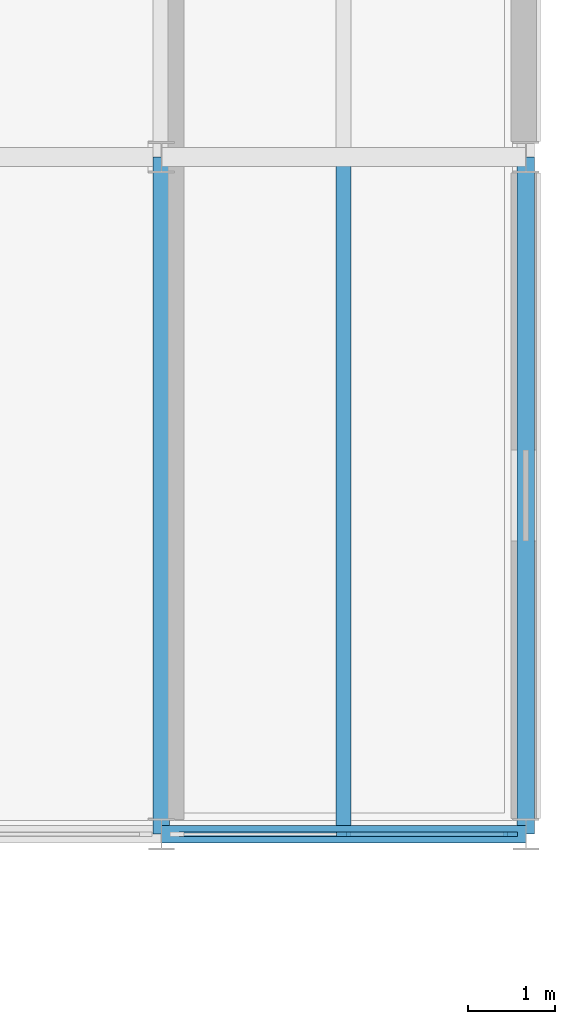
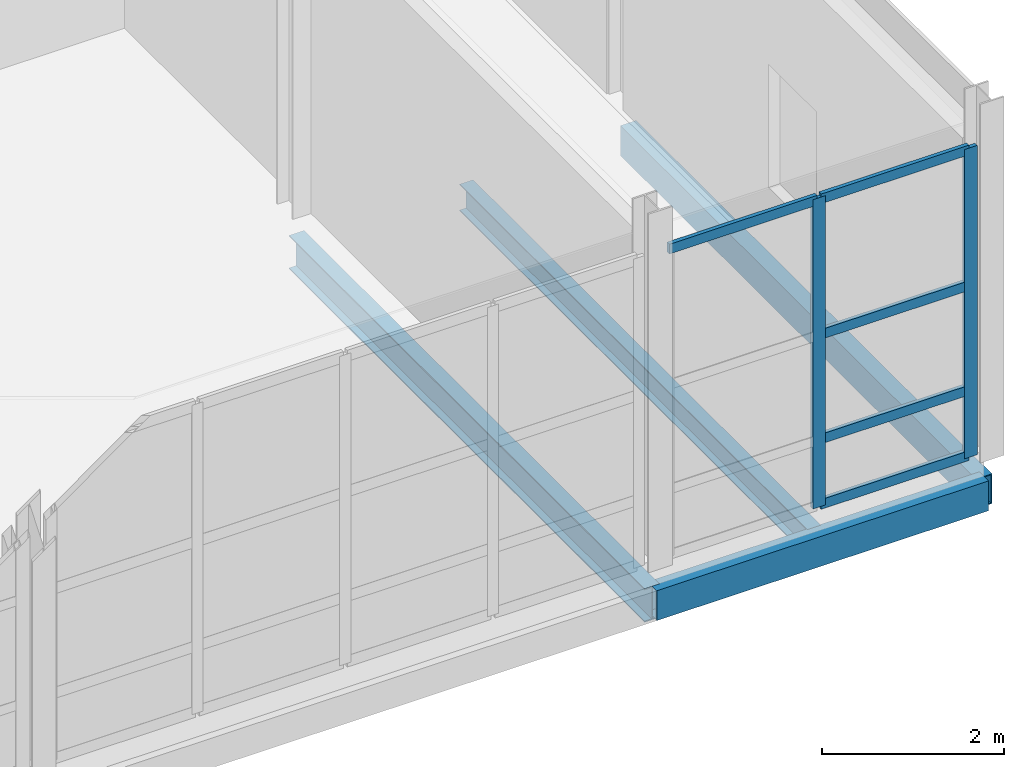
# One storey, part 61 of 131: 7 members, 4 beams, 1 element without a shape of its own.
"""IFC4 building model written with IfcOpenShell, lengths in metres."""

import ifcopenshell
import ifcopenshell.guid

model = None  # the IFC model being written
_history = None  # IfcOwnerHistory: only IFC2X3 demands one
_inside = {}  # id of a spatial element -> (the spatial element, [elements in it])
_under = {}  # id of a project, library or spatial element -> (it, [spatial elements below it])
_declared = {}  # id of a project -> (the project, [libraries it declares])
_typed = {}  # id of a type object -> (the type object, [elements of that type])
_made_of = {}  # id of a material, layer set ... -> (it, [elements and type objects made of it])


def new_model(schema):
    """Start an empty IFC model of exactly this schema.

    Asked for "IFC4X3", IfcOpenShell would pick the latest addendum, in which some entities
    have other attributes; the version numbers below select the first issue.
    IFC2X3 requires an IfcOwnerHistory on every rooted entity: one is made here for all.
    """
    global model, _history
    if schema == "IFC4X3":
        model = ifcopenshell.file(schema_version=(4, 3, 0, 0))
    else:
        model = ifcopenshell.file(schema=schema)
    _inside.clear()
    _under.clear()
    _declared.clear()
    _typed.clear()
    _made_of.clear()
    _history = None
    if model.schema == "IFC2X3":
        org = make("IfcOrganization", Name="unknown")
        user = make(
            "IfcPersonAndOrganization",
            ThePerson=make("IfcPerson", FamilyName="unknown"),
            TheOrganization=org,
        )
        app = make(
            "IfcApplication",
            ApplicationDeveloper=org,
            Version="unknown",
            ApplicationFullName="unknown",
            ApplicationIdentifier="unknown",
        )
        _history = make(
            "IfcOwnerHistory",
            OwningUser=user,
            OwningApplication=app,
            ChangeAction="ADDED",
            CreationDate=0,
        )
    return model


def make(cls, **values):
    """One entity of the class cls with the attributes given. An attribute that is None is left unset."""
    return model.create_entity(
        cls, **{name: value for name, value in values.items() if value is not None}
    )


def rooted(cls, **values):
    """An entity with a GlobalId (a new one), such as an element, a storey or a relation."""
    return make(cls, GlobalId=ifcopenshell.guid.new(), OwnerHistory=_history, **values)


def si_unit(unit_type, name, prefix=None):
    """IfcSIUnit, for example si_unit("LENGTHUNIT", "METRE", prefix="MILLI")."""
    return make("IfcSIUnit", UnitType=unit_type, Prefix=prefix, Name=name)


def assignment(units):
    """IfcUnitAssignment: the units of a project."""
    return None if units is None else make("IfcUnitAssignment", Units=units)


def point(xyz):
    """IfcCartesianPoint."""
    return None if xyz is None else make("IfcCartesianPoint", Coordinates=xyz)


def direction(xyz):
    """IfcDirection."""
    return None if xyz is None else make("IfcDirection", DirectionRatios=xyz)


def frame(location, z_axis=None, x_axis=None):
    """IfcAxis2Placement3D, a coordinate frame: its origin and axes. An axis left out is left unset."""
    return make(
        "IfcAxis2Placement3D",
        Location=point(location),
        Axis=direction(z_axis),
        RefDirection=direction(x_axis),
    )


def frame_2d(location, x_axis=None):
    """IfcAxis2Placement2D, a coordinate frame in the plane: its origin and x axis."""
    return make(
        "IfcAxis2Placement2D", Location=point(location), RefDirection=direction(x_axis)
    )


def origin():
    """The frame at (0, 0, 0) with its axes left unset."""
    return frame((0.0, 0.0, 0.0))


def origin_2d():
    """The frame at (0, 0) in the plane with its x axis left unset."""
    return frame_2d((0.0, 0.0))


def place(relative_to, where):
    """IfcLocalPlacement: puts the frame where relative to a parent placement (None: the world)."""
    return make(
        "IfcLocalPlacement", PlacementRelTo=relative_to, RelativePlacement=where
    )


def context(
    kind, dimensions, precision=None, world=None, true_north=None, identifier=None
):
    """IfcGeometricRepresentationContext, for example the 3D "Model" context."""
    return make(
        "IfcGeometricRepresentationContext",
        ContextIdentifier=identifier,
        ContextType=kind,
        CoordinateSpaceDimension=dimensions,
        Precision=precision,
        WorldCoordinateSystem=world,
        TrueNorth=true_north,
    )


def subcontext(parent, identifier, kind, view, scale=None):
    """IfcGeometricRepresentationSubContext, for example "Body" below "Model"."""
    return make(
        "IfcGeometricRepresentationSubContext",
        ContextIdentifier=identifier,
        ContextType=kind,
        ParentContext=parent,
        TargetScale=scale,
        TargetView=view,
    )


def project(units=None, contexts=None):
    """IfcProject with its units and contexts."""
    return rooted(
        "IfcProject",
        Name="project",
        RepresentationContexts=contexts,
        UnitsInContext=assignment(units),
    )


def spatial(cls, under=None, at=None, **own):
    """A site, building, storey or space (cls), placed at a placement, below another one or the project."""
    s = rooted(cls, ObjectPlacement=at, **own)
    if under is not None:
        _under.setdefault(under.id(), (under, []))[1].append(s)
    return s


def profile(cls, at=None, kind="AREA", **sizes):
    """A parametric profile (cls). Its sizes go by their IFC names, for example OverallWidth=200.0."""
    return make(cls, ProfileType=kind, Position=at, **sizes)


def rectangle(**sizes):
    """IfcRectangleProfileDef."""
    return profile("IfcRectangleProfileDef", **sizes)


def hollow_rectangle(**sizes):
    """IfcRectangleHollowProfileDef."""
    return profile("IfcRectangleHollowProfileDef", **sizes)


def i_section(**sizes):
    """IfcIShapeProfileDef."""
    return profile("IfcIShapeProfileDef", **sizes)


def extrude(swept, where, along, depth):
    """IfcExtrudedAreaSolid: the profile swept, set in the frame where, extruded along a direction by depth."""
    return make(
        "IfcExtrudedAreaSolid",
        SweptArea=swept,
        Position=where,
        ExtrudedDirection=direction(along),
        Depth=depth,
    )


def shape(context_of_items, identifier, shape_type, items):
    """IfcShapeRepresentation: the items that make up one representation, for example the "Body"."""
    return make(
        "IfcShapeRepresentation",
        ContextOfItems=context_of_items,
        RepresentationIdentifier=identifier,
        RepresentationType=shape_type,
        Items=items,
    )


def material(Name=None, Category=None):
    """IfcMaterial."""
    return make("IfcMaterial", Name=Name, Category=Category)


def layer(
    of_material, thickness, ventilated=None, Name=None, Category=None, Priority=None
):
    """IfcMaterialLayer: one layer of a wall or slab, of a material (None: an air gap)."""
    return make(
        "IfcMaterialLayer",
        Material=of_material,
        LayerThickness=thickness,
        IsVentilated=ventilated,
        Name=Name,
        Category=Category,
        Priority=Priority,
    )


def layer_set(layers, Name=None):
    """IfcMaterialLayerSet."""
    return make("IfcMaterialLayerSet", MaterialLayers=layers, LayerSetName=Name)


def material_profile(
    of_material, cross_section, Name=None, Category=None, Priority=None
):
    """IfcMaterialProfile: a cross section and its material."""
    return make(
        "IfcMaterialProfile",
        Name=Name,
        Material=of_material,
        Profile=cross_section,
        Priority=Priority,
        Category=Category,
    )


def profile_set(profiles, Name=None, composite=None):
    """IfcMaterialProfileSet."""
    return make(
        "IfcMaterialProfileSet",
        Name=Name,
        MaterialProfiles=profiles,
        CompositeProfile=composite,
    )


def made_of(thing, what):
    """Note that an element or type object is made of a material, layer set ...; save() writes the relation."""
    if what is not None:
        _made_of.setdefault(what.id(), (what, []))[1].append(thing)
    return thing


def type_object(cls, material=None, **own):
    """A type object (cls), such as IfcWallType, which elements share."""
    return made_of(rooted(cls, **own), material)


def element(
    cls,
    number,
    at=None,
    inside=None,
    cuts=None,
    type_object=None,
    material=None,
    context=None,
    identifier="Body",
    shape_type=None,
    held_by="IfcProductDefinitionShape",
    body=None,
    shapes=None,
    **own,
):
    """One element of the class cls, such as IfcWall. Its Tag is "e" and its number.

    at: its placement. inside: the storey or other place that contains it. cuts: it is an
    opening in that element (IfcRelVoidsElement). A single representation is given by context,
    identifier, shape_type and body (its items); several are given by shapes. held_by: the class
    of the entity that holds the representations. save() writes the other relations.
    """
    e = rooted(cls, Tag="e%d" % number, ObjectPlacement=at, **own)
    if body is not None:
        shapes = [shape(context, identifier, shape_type, body)]
    if shapes is not None:
        e.Representation = make(held_by, Representations=shapes)
    if inside is not None:
        _inside.setdefault(inside.id(), (inside, []))[1].append(e)
    if cuts is not None:
        rooted(
            "IfcRelVoidsElement", RelatingBuildingElement=cuts, RelatedOpeningElement=e
        )
    if type_object is not None:
        _typed.setdefault(type_object.id(), (type_object, []))[1].append(e)
    return made_of(e, material)


def aggregate(whole, parts):
    """IfcRelAggregates: a whole, such as a stair, and the parts it consists of."""
    return rooted("IfcRelAggregates", RelatingObject=whole, RelatedObjects=parts)


def save(model, path):
    """Write the relations noted so far, then the file.

    IfcRelAggregates (storeys below a building ...), IfcRelContainedInSpatialStructure (elements
    in a storey), IfcRelDefinesByType, IfcRelAssociatesMaterial and IfcRelDeclares: one each for
    every whole, place, type object, material and project.
    """
    for whole, parts in _under.values():
        aggregate(whole, parts)
    for where, things in _inside.values():
        rooted(
            "IfcRelContainedInSpatialStructure",
            RelatedElements=things,
            RelatingStructure=where,
        )
    for kind, things in _typed.values():
        rooted("IfcRelDefinesByType", RelatedObjects=things, RelatingType=kind)
    for what, things in _made_of.values():
        rooted("IfcRelAssociatesMaterial", RelatedObjects=things, RelatingMaterial=what)
    for by, libraries in _declared.values():
        rooted("IfcRelDeclares", RelatingContext=by, RelatedDefinitions=libraries)
    model.write(path)


model = new_model("IFC4")

# Units and contexts
model_context = context("Model", 3, precision=1e-05, world=origin(), true_north=direction((0.0, 1.0)))
body_context = subcontext(model_context, "Body", "Model", "MODEL_VIEW")
ifc_project = project(units=[si_unit("LENGTHUNIT", "METRE"), si_unit("AREAUNIT", "SQUARE_METRE"), si_unit("VOLUMEUNIT", "CUBIC_METRE"), si_unit("PLANEANGLEUNIT", "RADIAN"), si_unit("MASSUNIT", "GRAM", prefix="KILO")], contexts=[model_context])

# Site, building, storey
site_placement = place(None, origin())
site = spatial("IfcSite", under=ifc_project, at=site_placement, CompositionType="ELEMENT")
building_placement = place(site_placement, origin())
building = spatial("IfcBuilding", under=site, at=building_placement, Name="Celorna Specialist Clinic", CompositionType="ELEMENT")
storey_placement = place(building_placement, origin())
storey = spatial("IfcBuildingStorey", under=building, at=storey_placement, Name="L00", CompositionType="ELEMENT", Elevation=0.0)

# Beams
ifc_material_1 = material(Name="Steel S355", Category="steel")
ifc_material_profile_1 = material_profile(ifc_material_1, i_section(OverallWidth=0.18994140625, OverallDepth=0.449951171875, WebThickness=0.009521484375, FlangeThickness=0.0146484375, at=origin_2d()), Name="IPE 450")
ifc_profile_set_1 = profile_set([ifc_material_profile_1], Name="Steel S355")
beam_type_1 = type_object("IfcBeamType", Name="BM-09", PredefinedType="BEAM", material=ifc_profile_set_1)
beam_1_placement = place(storey_placement, frame((163.800048828125, 60.0, -0.56494140625), z_axis=(0.0, 1.0, 0.0), x_axis=(-1.0, 0.0, 0.0)))
element("IfcBeam", 1, at=beam_1_placement, inside=storey, type_object=beam_type_1, Name="Transverse girder BM-09 #573", PredefinedType="BEAM", context=body_context, shape_type="SweptSolid", body=[
    extrude(i_section(OverallWidth=0.18994140625, OverallDepth=0.449951171875, WebThickness=0.009521484375, FlangeThickness=0.0146484375, at=origin_2d()), origin(), (0.0, 0.0, 1.0), 7.800048828125),
])
ifc_material_profile_2 = material_profile(ifc_material_1, i_section(OverallWidth=0.169921875, OverallDepth=0.360107421875, WebThickness=0.008056640625, FlangeThickness=0.0126953125, at=origin_2d()), Name="IPE 360")
ifc_profile_set_2 = profile_set([ifc_material_profile_2], Name="Steel S355")
beam_type_2 = type_object("IfcBeamType", Name="BM-11", PredefinedType="JOIST", material=ifc_profile_set_2)
beam_2_placement = place(storey_placement, frame((165.89990234375, 60.087890625, -0.52001953125), z_axis=(0.0, 1.0, 0.0), x_axis=(-1.0, 0.0, 0.0)))
element("IfcBeam", 2, at=beam_2_placement, inside=storey, type_object=beam_type_2, Name="Secondary floor joist BM-11 #607", PredefinedType="JOIST", context=body_context, shape_type="SweptSolid", body=[
    extrude(i_section(OverallWidth=0.169921875, OverallDepth=0.360107421875, WebThickness=0.008056640625, FlangeThickness=0.0126953125, at=origin_2d()), origin(), (0.0, 0.0, 1.0), 7.6240234375),
])
ifc_material_profile_3 = material_profile(ifc_material_1, hollow_rectangle(XDim=0.199951171875, YDim=0.39990234375, WallThickness=0.011962890625, at=origin_2d()), Name="RHS 200x400x12")
ifc_profile_set_3 = profile_set([ifc_material_profile_3], Name="Steel S355")
beam_type_3 = type_object("IfcBeamType", Name="BM-15", PredefinedType="SPANDREL", material=ifc_profile_set_3)
beam_3_placement = place(storey_placement, frame((163.800048828125, 60.0, -0.5400390625), z_axis=(1.0, 0.0, 0.0), x_axis=(0.0, 1.0, 0.0)))
element("IfcBeam", 3, at=beam_3_placement, inside=storey, type_object=beam_type_3, Name="Spandrel beam BM-15 #539", PredefinedType="SPANDREL", context=body_context, shape_type="SweptSolid", body=[
    extrude(hollow_rectangle(XDim=0.199951171875, YDim=0.39990234375, WallThickness=0.011962890625, at=origin_2d()), origin(), (0.0, 0.0, 1.0), 4.199951171875),
])
beam_4_placement = place(storey_placement, frame((168.0, 60.0, -0.5400390625), z_axis=(0.0, 1.0, 0.0), x_axis=(-1.0, 0.0, 0.0)))
element("IfcBeam", 4, at=beam_4_placement, inside=storey, type_object=beam_type_3, Name="Spandrel beam BM-15 #576", PredefinedType="SPANDREL", context=body_context, shape_type="SweptSolid", body=[
    extrude(hollow_rectangle(XDim=0.199951171875, YDim=0.39990234375, WallThickness=0.011962890625, at=origin_2d()), origin(), (0.0, 0.0, 1.0), 7.800048828125),
])

# Curtain wall, members
ifc_material_2 = material(Name="Thermally broken aluminium and solar-control glass curtain wall", Category="aluminium")
ifc_layer = layer(ifc_material_2, 0.159912109375, Name="Thermally broken aluminium and solar-control glass curtain wall")
ifc_layer_set = layer_set([ifc_layer], Name="Thermally broken aluminium and solar-control glass curtain wall")
curtain_wall_type = type_object("IfcCurtainWallType", Name="CW-37", PredefinedType="NOTDEFINED", material=ifc_layer_set)
curtain_wall_placement = place(storey_placement, origin())
curtain_wall = element("IfcCurtainWall", 5, at=curtain_wall_placement, inside=storey, type_object=curtain_wall_type, Name="Curtain wall CW-37 #68", PredefinedType="NOTDEFINED")
ifc_material_3 = material(Name="Anodized aluminium mullion", Category="aluminium")
ifc_material_profile_4 = material_profile(ifc_material_3, rectangle(XDim=0.050048828125, YDim=0.159912109375, at=origin_2d()), Name="ALU MULLION 50x160")
ifc_profile_set_4 = profile_set([ifc_material_profile_4], Name="Anodized aluminium mullion")
member_type_1 = type_object("IfcMemberType", Name="ML-01", PredefinedType="MULLION", material=ifc_profile_set_4)
member_1_placement = place(storey_placement, frame((167.821044921875, 60.0, 0.0), z_axis=(0.0, 0.0, 1.0), x_axis=(0.0, -1.0, 0.0)))
member_1 = element("IfcMember", 6, at=member_1_placement, type_object=member_type_1, Name="CW-37 mullion 1", PredefinedType="MULLION", context=body_context, shape_type="SweptSolid", body=[
    extrude(rectangle(XDim=0.050048828125, YDim=0.159912109375, at=origin_2d()), origin(), (0.0, 0.0, 1.0), 4.139892578125),
])
member_2_placement = place(storey_placement, frame((165.89990234375, 60.0, 0.0), z_axis=(0.0, 0.0, 1.0), x_axis=(0.0, -1.0, 0.0)))
member_2 = element("IfcMember", 7, at=member_2_placement, type_object=member_type_1, Name="CW-37 mullion 2", PredefinedType="MULLION", context=body_context, shape_type="SweptSolid", body=[
    extrude(rectangle(XDim=0.050048828125, YDim=0.159912109375, at=origin_2d()), origin(), (0.0, 0.0, 1.0), 4.139892578125),
])
ifc_material_4 = material(Name="Anodized aluminium transom", Category="aluminium")
ifc_material_profile_5 = material_profile(ifc_material_4, rectangle(XDim=0.050048828125, YDim=0.1298828125, at=origin_2d()), Name="ALU TRANSOM 50x130")
ifc_profile_set_5 = profile_set([ifc_material_profile_5], Name="Anodized aluminium transom")
member_type_2 = type_object("IfcMemberType", Name="TR-01", PredefinedType="USERDEFINED", material=ifc_profile_set_5)
member_3_placement = place(storey_placement, frame((167.7958984375, 60.0, 0.02490234375), z_axis=(-1.0, 0.0, 0.0), x_axis=(0.0, -1.0, 0.0)))
member_3 = element("IfcMember", 8, at=member_3_placement, type_object=member_type_2, Name="CW-37 transom 1.1", ObjectType="TRANSOM", PredefinedType="USERDEFINED", context=body_context, shape_type="SweptSolid", body=[
    extrude(rectangle(XDim=0.050048828125, YDim=0.1298828125, at=origin_2d()), origin(), (0.0, 0.0, 1.0), 1.870849609375),
])
member_4_placement = place(storey_placement, frame((167.7958984375, 60.0, 0.89990234375), z_axis=(-1.0, 0.0, 0.0), x_axis=(0.0, -1.0, 0.0)))
member_4 = element("IfcMember", 9, at=member_4_placement, type_object=member_type_2, Name="CW-37 transom 1.2", ObjectType="TRANSOM", PredefinedType="USERDEFINED", context=body_context, shape_type="SweptSolid", body=[
    extrude(rectangle(XDim=0.050048828125, YDim=0.1298828125, at=origin_2d()), origin(), (0.0, 0.0, 1.0), 1.870849609375),
])
member_5_placement = place(storey_placement, frame((167.7958984375, 60.0, 2.300048828125), z_axis=(-1.0, 0.0, 0.0), x_axis=(0.0, -1.0, 0.0)))
member_5 = element("IfcMember", 10, at=member_5_placement, type_object=member_type_2, Name="CW-37 transom 1.3", ObjectType="TRANSOM", PredefinedType="USERDEFINED", context=body_context, shape_type="SweptSolid", body=[
    extrude(rectangle(XDim=0.050048828125, YDim=0.1298828125, at=origin_2d()), origin(), (0.0, 0.0, 1.0), 1.870849609375),
])
member_6_placement = place(storey_placement, frame((167.7958984375, 60.0, 4.114990234375), z_axis=(-1.0, 0.0, 0.0), x_axis=(0.0, -1.0, 0.0)))
member_6 = element("IfcMember", 11, at=member_6_placement, type_object=member_type_2, Name="CW-37 transom 1.4", ObjectType="TRANSOM", PredefinedType="USERDEFINED", context=body_context, shape_type="SweptSolid", body=[
    extrude(rectangle(XDim=0.050048828125, YDim=0.1298828125, at=origin_2d()), origin(), (0.0, 0.0, 1.0), 1.870849609375),
])
member_7_placement = place(storey_placement, frame((165.875, 60.0, 4.114990234375), z_axis=(-1.0, 0.0, 0.0), x_axis=(0.0, -1.0, 0.0)))
member_7 = element("IfcMember", 12, at=member_7_placement, type_object=member_type_2, Name="CW-37 transom 2.4", ObjectType="TRANSOM", PredefinedType="USERDEFINED", context=body_context, shape_type="SweptSolid", body=[
    extrude(rectangle(XDim=0.050048828125, YDim=0.1298828125, at=origin_2d()), origin(), (0.0, 0.0, 1.0), 1.87109375),
])
aggregate(curtain_wall, [member_1, member_2, member_3, member_4, member_5, member_6, member_7])

save(model, "model.ifc")
